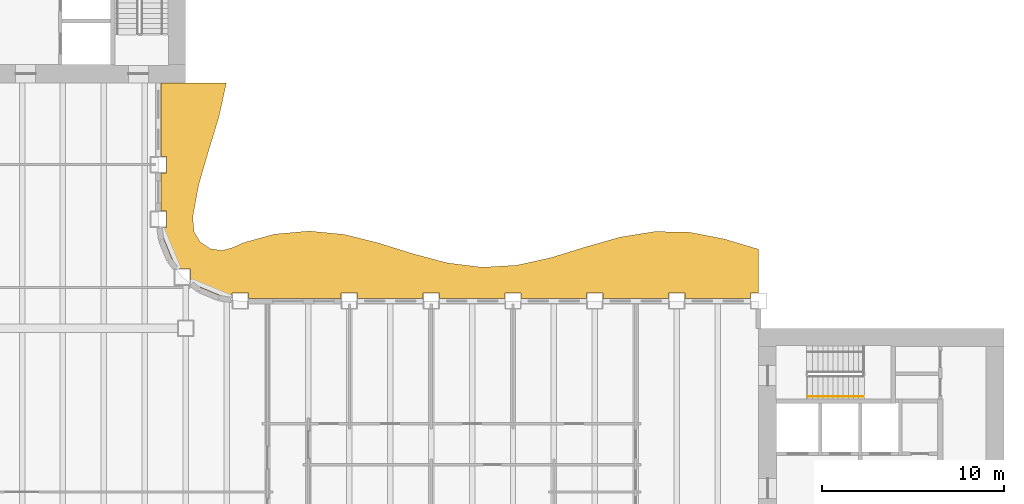
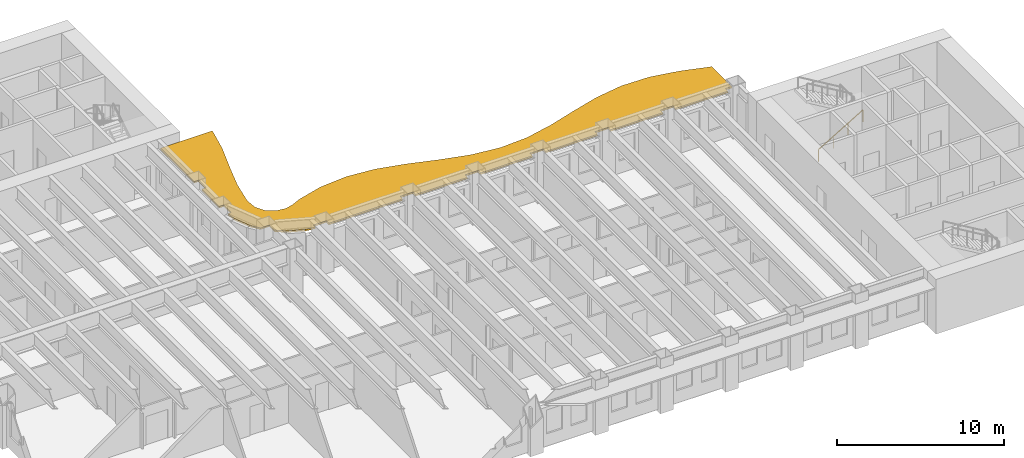
# One storey, part 14 of 16: 1 railing, 1 shading device.
"""IFC4 building model written with IfcOpenShell, lengths in metres."""

from ifc_helpers import new_model, si_unit, direction, frame, origin, origin_2d, place, context, subcontext, project, spatial, polyline, rectangle, outline, extrude, material, layer, layer_set, type_object, element, save


model = new_model("IFC4")

# Units and contexts
model_context = context("Model", 3, precision=1e-05, world=origin(), true_north=direction((0.0, 1.0)))
body_context = subcontext(model_context, "Body", "Model", "MODEL_VIEW")
ifc_project = project(units=[si_unit("LENGTHUNIT", "METRE"), si_unit("AREAUNIT", "SQUARE_METRE"), si_unit("VOLUMEUNIT", "CUBIC_METRE"), si_unit("PLANEANGLEUNIT", "RADIAN"), si_unit("MASSUNIT", "GRAM", prefix="KILO")], contexts=[model_context])

# Site, building, storey
site_placement = place(None, origin())
site = spatial("IfcSite", under=ifc_project, at=site_placement, CompositionType="ELEMENT")
building_placement = place(site_placement, origin())
building = spatial("IfcBuilding", under=site, at=building_placement, Name="Sennacour Bend Tower", CompositionType="ELEMENT")
storey_placement = place(building_placement, frame((0.0, 0.0, 175.0)))
storey = spatial("IfcBuildingStorey", under=building, at=storey_placement, Name="L40", CompositionType="ELEMENT", Elevation=175.0)

# Railing
ifc_material_1 = material(Name="Stainless steel", Category="steel")
railing_type = type_object("IfcRailingType", Name="RL-HANDRAIL-900", PredefinedType="HANDRAIL", material=ifc_material_1)
railing_placement = place(storey_placement, frame((56.699951171875, 18.75, 0.166748046875)))
element("IfcRailing", 1, at=railing_placement, inside=storey, type_object=railing_type, Name="L40 SA2 stair handrail 1", PredefinedType="HANDRAIL", context=body_context, shape_type="SweptSolid", body=[
    extrude(rectangle(XDim=0.048095703125, YDim=0.048095703125, at=origin_2d()), frame((0.0, 0.0, 0.8759765625), z_axis=(0.859308565015, 0.0, 0.511457515432), x_axis=(0.0, 1.0, 0.0)), (0.0, 0.0, 1.0), 3.58447265625),
    extrude(rectangle(XDim=0.0419921875, YDim=0.0419921875, at=origin_2d()), origin(), (0.0, 0.0, 1.0), 0.851806640625),
    extrude(rectangle(XDim=0.0419921875, YDim=0.0419921875, at=origin_2d()), frame((1.026611328125, 0.0, 0.611083984375)), (0.0, 0.0, 1.0), 0.851806640625),
    extrude(rectangle(XDim=0.0419921875, YDim=0.0419921875, at=origin_2d()), frame((2.053466796875, 0.0, 1.22216796875)), (0.0, 0.0, 1.0), 0.851806640625),
    extrude(rectangle(XDim=0.0419921875, YDim=0.0419921875, at=origin_2d()), frame((3.080078125, 0.0, 1.833251953125)), (0.0, 0.0, 1.0), 0.851806640625),
])

# Shading device
ifc_material_2 = material(Name="Bronze anodised aluminium", Category="aluminium")
ifc_layer = layer(ifc_material_2, 0.1201171875, Name="Bronze anodised aluminium", Category="aluminium")
ifc_layer_set = layer_set([ifc_layer], Name="Bronze anodised aluminium")
shading_device_type = type_object("IfcShadingDeviceType", Name="SUNSHADE BAND WAVE", PredefinedType="USERDEFINED", material=ifc_layer_set)
shading_device_placement = place(storey_placement, frame((0.0, 0.0, 3.029052734375)))
element("IfcShadingDevice", 2, at=shading_device_placement, inside=storey, type_object=shading_device_type, Name="Sunshade band L40 concave faces", ObjectType="SUNSHADE", PredefinedType="USERDEFINED", context=body_context, shape_type="SweptSolid", body=[
    extrude(outline(polyline([(53.550048828125, 24.14990234375), (49.949951171875, 24.14990234375), (49.949951171875, 24.449951171875), (49.050048828125, 24.449951171875), (49.050048828125, 24.14990234375), (45.449951171875, 24.14990234375), (45.449951171875, 24.449951171875), (44.550048828125, 24.449951171875), (44.550048828125, 24.14990234375), (40.949951171875, 24.14990234375), (40.949951171875, 24.449951171875), (40.050048828125, 24.449951171875), (40.050048828125, 24.14990234375), (36.449951171875, 24.14990234375), (36.449951171875, 24.449951171875), (35.550048828125, 24.449951171875), (35.550048828125, 24.14990234375), (31.949951171875, 24.14990234375), (31.949951171875, 24.449951171875), (31.050048828125, 24.449951171875), (31.050048828125, 24.14990234375), (25.949951171875, 24.14990234375), (25.949951171875, 24.449951171875), (25.050048828125, 24.449951171875), (25.050048828125, 24.21044921875), (24.37451171875, 24.299560546875), (23.32568359375, 24.73388671875), (22.76806640625, 25.16162109375), (22.76806640625, 25.76806640625), (22.16162109375, 25.76806640625), (21.73388671875, 26.32568359375), (21.299560546875, 27.37451171875), (21.21044921875, 28.050048828125), (21.449951171875, 28.050048828125), (21.449951171875, 28.949951171875), (21.14990234375, 28.949951171875), (21.14990234375, 31.050048828125), (21.449951171875, 31.050048828125), (21.449951171875, 31.949951171875), (21.14990234375, 31.949951171875), (21.14990234375, 36.0), (24.738525390625, 36.0), (24.328857421875, 34.125), (23.75439453125, 32.25), (23.212890625, 30.375), (22.890380859375, 28.623779296875), (22.95947265625, 27.8193359375), (23.309814453125, 27.235595703125), (23.87109375, 26.87109375), (24.50732421875, 26.78076171875), (25.081298828125, 26.937744140625), (25.711181640625, 27.2216796875), (27.39990234375, 27.6826171875), (29.300048828125, 27.849853515625), (31.199951171875, 27.66455078125), (33.10009765625, 27.19189453125), (35.0, 26.598876953125), (36.89990234375, 26.09423828125), (38.800048828125, 25.856201171875), (40.699951171875, 25.968505859375), (42.60009765625, 26.391845703125), (44.5, 26.9765625), (46.39990234375, 27.516845703125), (48.300048828125, 27.82177734375), (50.199951171875, 27.7841796875), (52.10009765625, 27.4169921875), (54.0, 26.85009765625), (54.0, 24.449951171875), (53.550048828125, 24.449951171875), (53.550048828125, 24.14990234375)])), origin(), (0.0, 0.0, 1.0), 0.119873046875),
])

save(model, "model.ifc")
